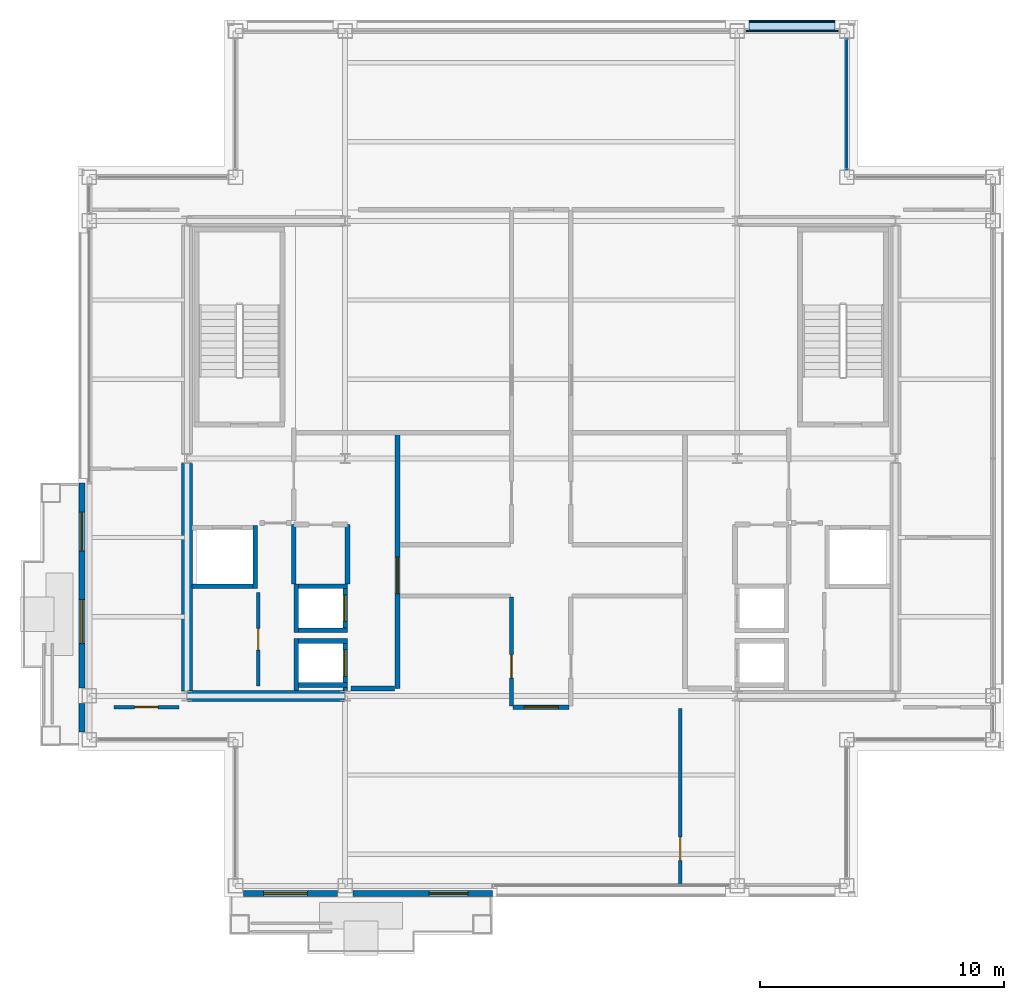
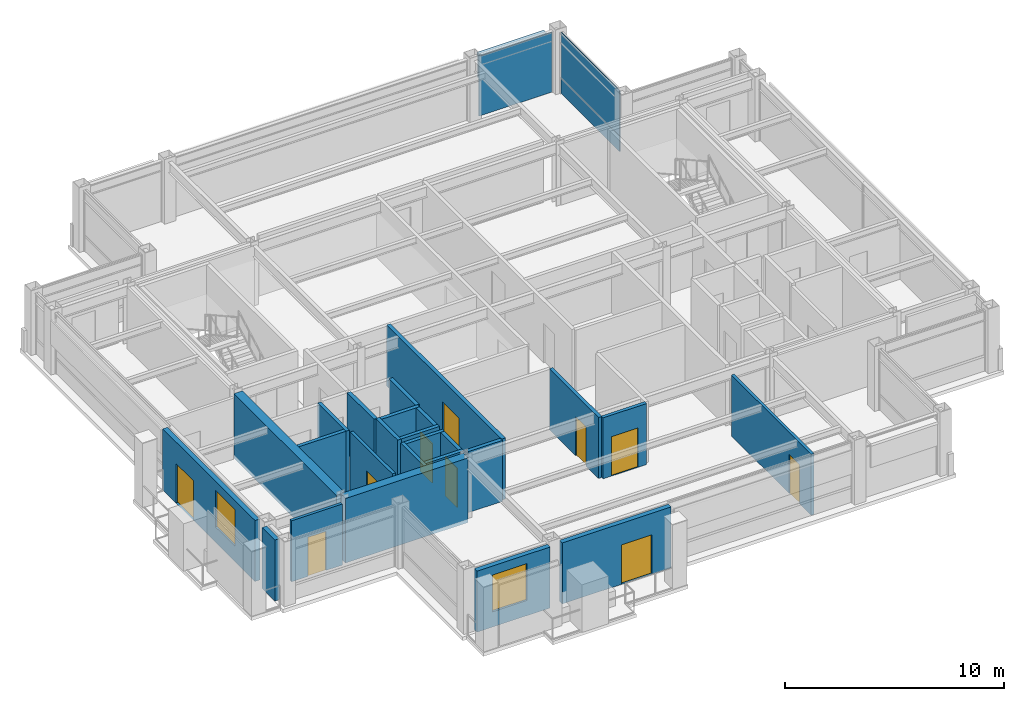
# One storey, part 22 of 27: 25 walls, 10 doors, 5 plates, 2 windows, 12 openings, 2 elements without a shape of their own.
"""IFC4 building model written with IfcOpenShell, lengths in metres."""

from ifc_helpers import new_model, si_unit, direction, frame, frame_2d, origin, origin_2d, place, context, subcontext, project, spatial, rectangle, extrude, material, layer, layer_set, type_object, element, fill, aggregate, save


model = new_model("IFC4")

# Units and contexts
model_context = context("Model", 3, precision=1e-05, world=origin(), true_north=direction((0.0, 1.0)))
body_context = subcontext(model_context, "Body", "Model", "MODEL_VIEW")
ifc_project = project(units=[si_unit("LENGTHUNIT", "METRE"), si_unit("AREAUNIT", "SQUARE_METRE"), si_unit("VOLUMEUNIT", "CUBIC_METRE"), si_unit("PLANEANGLEUNIT", "RADIAN"), si_unit("MASSUNIT", "GRAM", prefix="KILO")], contexts=[model_context])

# Site, building, storey
site_placement = place(None, origin())
site = spatial("IfcSite", under=ifc_project, at=site_placement, CompositionType="ELEMENT")
building_placement = place(site_placement, origin())
building = spatial("IfcBuilding", under=site, at=building_placement, Name="Brelmoor Portico Tower", CompositionType="ELEMENT")
storey_placement = place(building_placement, frame((0.0, 0.0, 250.800048828125)))
storey = spatial("IfcBuildingStorey", under=building, at=storey_placement, Name="L66", CompositionType="ELEMENT", Elevation=250.800048828125)

# Curtain wall, plate
ifc_material_1 = material(Name="Anodised Aluminium Alloy 6063-T6", Category="aluminium")
ifc_layer_1 = layer(ifc_material_1, 0.179931640625)
ifc_layer_set_1 = layer_set([ifc_layer_1], Name="Anodised Aluminium Alloy 6063-T6")
curtain_wall_type_1 = type_object("IfcCurtainWallType", Name="CW-NOTCH-CHAMFER", PredefinedType="NOTDEFINED", material=ifc_layer_set_1)
curtain_wall_1_placement = place(storey_placement, origin())
curtain_wall_1 = element("IfcCurtainWall", 1, at=curtain_wall_1_placement, inside=storey, type_object=curtain_wall_type_1, Name="L66 Curtain Wall CWN-L66-NEV", PredefinedType="NOTDEFINED")
ifc_material_2 = material(Name="Double-Silver Low-E Insulated Glazing", Category="glass")
ifc_layer_2 = layer(ifc_material_2, 0.035888671875)
ifc_layer_set_2 = layer_set([ifc_layer_2], Name="Double-Silver Low-E Insulated Glazing")
plate_type_1 = type_object("IfcPlateType", Name="PT-CW-GLASS", PredefinedType="CURTAIN_PANEL", material=ifc_layer_set_2)
plate_1_placement = place(storey_placement, frame((12.550048828125, 14.550048828125, 0.85009765625), z_axis=(0.0, 0.0, 1.0), x_axis=(0.0, 1.0, 0.0)))
plate_1 = element("IfcPlate", 2, at=plate_1_placement, type_object=plate_type_1, Name="CWN-L66-NEV Vision Glass Panel 00", PredefinedType="CURTAIN_PANEL", context=body_context, shape_type="SweptSolid", body=[
    extrude(rectangle(XDim=5.35009765625, YDim=0.035888671875, at=origin_2d()), origin(), (0.0, 0.0, 1.0), 2.550048828125),
])

ifc_layer_3 = layer(ifc_material_1, 0.179931640625)
ifc_layer_set_3 = layer_set([ifc_layer_3], Name="Anodised Aluminium Alloy 6063-T6")
curtain_wall_type_2 = type_object("IfcCurtainWallType", Name="CW-TOWER-Z4-XB", PredefinedType="NOTDEFINED", material=ifc_layer_set_3)
curtain_wall_2_placement = place(storey_placement, origin())
curtain_wall_2 = element("IfcCurtainWall", 3, at=curtain_wall_2_placement, inside=storey, type_object=curtain_wall_type_2, Name="L66 Curtain Wall CW-L66-02-3", PredefinedType="NOTDEFINED")
ifc_material_3 = material(Name="Pale Champagne Anodised Aluminium Panel", Category="aluminium")
ifc_layer_4 = layer(ifc_material_3, 0.050048828125)
ifc_layer_set_4 = layer_set([ifc_layer_4], Name="Pale Champagne Anodised Aluminium Panel")
plate_type_2 = type_object("IfcPlateType", Name="PT-CW-SPANDREL", PredefinedType="SHEET", material=ifc_layer_set_4)
plate_2_placement = place(storey_placement, frame((10.300048828125, 17.550048828125, 0.0), z_axis=(0.0, 0.0, 1.0), x_axis=(1.0, 0.0, 0.0)))
plate_2 = element("IfcPlate", 4, at=plate_2_placement, type_object=plate_type_2, Name="CW-L66-02-3 Spandrel Panel 00", PredefinedType="SHEET", context=body_context, shape_type="SweptSolid", body=[
    extrude(rectangle(XDim=3.85009765625, YDim=0.050048828125, at=origin_2d()), origin(), (0.0, 0.0, 1.0), 3.33740234375),
])
aggregate(curtain_wall_2, [plate_2])

# Plate
plate_3_placement = place(storey_placement, frame((12.550048828125, 14.550048828125, 0.0), z_axis=(0.0, 0.0, 1.0), x_axis=(0.0, 1.0, 0.0)))
plate_3 = element("IfcPlate", 5, at=plate_3_placement, type_object=plate_type_2, Name="CWN-L66-NEV Spandrel Panel 00", PredefinedType="SHEET", context=body_context, shape_type="SweptSolid", body=[
    extrude(rectangle(XDim=5.35009765625, YDim=0.050048828125, at=origin_2d()), origin(), (0.0, 0.0, 1.0), 0.85009765625),
])

aggregate(curtain_wall_1, [plate_3, plate_1])

# Plates
ifc_material_4 = material(Name="Powder-Coated Aluminium Shuttered Jalousie Louvre", Category="aluminium")
ifc_layer_5 = layer(ifc_material_4, 0.06005859375)
ifc_layer_set_5 = layer_set([ifc_layer_5], Name="Powder-Coated Aluminium Shuttered Jalousie Louvre")
plate_type_3 = type_object("IfcPlateType", Name="PT-JALOUSIE-SHUTTER", PredefinedType="SHEET", material=ifc_layer_set_5)
plate_4_placement = place(storey_placement, frame((10.300048828125, 17.929931640625, 1.8740234375), z_axis=(0.0, 0.0, 1.0), x_axis=(1.0, 0.0, 0.0)))
element("IfcPlate", 6, at=plate_4_placement, inside=storey, type_object=plate_type_3, Name="CW-L66-02-3 Perforated Jalousie Solar Screen", PredefinedType="SHEET", context=body_context, shape_type="SweptSolid", body=[
    extrude(rectangle(XDim=3.52001953125, YDim=0.06494140625, at=origin_2d()), origin(), (0.0, 0.0, 1.0), 1.325927734375),
])
ifc_material_5 = material(Name="Pale Champagne Perforated Aluminium Solar Screen", Category="aluminium")
ifc_layer_6 = layer(ifc_material_5, 0.054931640625)
ifc_layer_set_6 = layer_set([ifc_layer_6], Name="Pale Champagne Perforated Aluminium Solar Screen")
plate_type_4 = type_object("IfcPlateType", Name="PT-SOLAR-LOUVRE", PredefinedType="SHEET", material=ifc_layer_set_6)
plate_5_placement = place(storey_placement, frame((10.300048828125, 17.760009765625, 3.08984375), z_axis=(0.0, 0.0, 1.0), x_axis=(1.0, 0.0, 0.0)))
element("IfcPlate", 7, at=plate_5_placement, inside=storey, type_object=plate_type_4, Name="CW-L66-02-3 Caribbean Brise-Soleil Solar Screen", PredefinedType="SHEET", context=body_context, shape_type="SweptSolid", body=[
    extrude(rectangle(XDim=3.52001953125, YDim=0.4599609375, at=origin_2d()), origin(), (0.0, 0.0, 1.0), 0.139892578125),
])

# Walls
ifc_material_6 = material(Name="Concrete C50", Category="concrete")
ifc_layer_7 = layer(ifc_material_6, 0.449951171875)
ifc_layer_set_7 = layer_set([ifc_layer_7], Name="Concrete C50")
wall_type_1 = type_object("IfcWallType", Name="WL-CORE-450", PredefinedType="SHEAR", material=ifc_layer_set_7)
wall_1_placement = place(storey_placement, frame((-14.530029296875, -9.75, -0.199951171875), z_axis=(0.0, 0.0, 1.0), x_axis=(1.0, 0.0, 0.0)))
element("IfcWall", 8, at=wall_1_placement, inside=storey, type_object=wall_type_1, Name="L66 WC South Shear Wall", PredefinedType="SHEAR", context=body_context, shape_type="SweptSolid", body=[
    extrude(rectangle(XDim=6.4599609375, YDim=0.449951171875, at=frame_2d((3.22998046875, 0.0))), origin(), (0.0, 0.0, 1.0), 3.599853515625),
])
wall_2_placement = place(storey_placement, frame((-14.550048828125, -9.550048828125, -0.199951171875), z_axis=(0.0, 0.0, 1.0), x_axis=(0.0, 1.0, 0.0)))
element("IfcWall", 9, at=wall_2_placement, inside=storey, type_object=wall_type_1, Name="L66 WC Outer South Shear Wall", PredefinedType="SHEAR", context=body_context, shape_type="SweptSolid", body=[
    extrude(rectangle(XDim=9.35009765625, YDim=0.449951171875, at=frame_2d((4.675048828125, 0.0))), origin(), (0.0, 0.0, 1.0), 3.599853515625),
])

# Wall, opening, window
ifc_material_7 = material(Name="Precast Concrete C40 Insulated Facade Wall", Category="concrete")
ifc_layer_8 = layer(ifc_material_7, 0.25)
ifc_layer_set_8 = layer_set([ifc_layer_8], Name="Precast Concrete C40 Insulated Facade Wall")
wall_type_2 = type_object("IfcWallType", Name="WL-EXT-250", PredefinedType="STANDARD", material=ifc_layer_set_8)
wall_3_placement = place(storey_placement, frame((-12.22998046875, -17.860107421875, 0.0), z_axis=(0.0, 0.0, 1.0), x_axis=(1.0, 0.0, 0.0)))
wall_3 = element("IfcWall", 10, at=wall_3_placement, inside=storey, type_object=wall_type_2, Name="L66 Loggia Threshold Wall S-1", PredefinedType="STANDARD", context=body_context, shape_type="SweptSolid", body=[
    extrude(rectangle(XDim=3.85986328125, YDim=0.25, at=frame_2d((1.929931640625, 0.0))), origin(), (0.0, 0.0, 1.0), 3.39990234375),
])
opening_1_placement = place(wall_3_placement, frame((0.830078125, 0.0, 0.85009765625)))
opening_1 = element("IfcOpeningElement", 11, at=opening_1_placement, cuts=wall_3, Name="Opening W-03C", PredefinedType="OPENING", context=body_context, shape_type="SweptSolid", body=[
    extrude(rectangle(XDim=1.800048828125, YDim=2.050048828125, at=frame_2d((0.89990234375, 1.02490234375))), frame((0.0, 0.135009765625, 0.0), z_axis=(0.0, -1.0, 0.0), x_axis=(1.0, 0.0, 0.0)), (0.0, 0.0, 1.0), 0.27001953125),
])
ifc_material_8 = material(Name="Thermally Broken Aluminium Low-E Window", Category="aluminium")
window_type = type_object("IfcWindowType", Name="WN-LOGGIA-1800x2050", PartitioningType="SINGLE_PANEL", PredefinedType="WINDOW", material=ifc_material_8)
window_1_placement = place(opening_1_placement, origin())
window_1 = element("IfcWindow", 12, at=window_1_placement, inside=storey, type_object=window_type, Name="L66 Loggia Window S", OverallHeight=2.050048828125, OverallWidth=1.800048828125, PartitioningType="SINGLE_PANEL", PredefinedType="WINDOW", context=body_context, shape_type="SweptSolid", body=[
    extrude(rectangle(XDim=1.800048828125, YDim=2.050048828125, at=frame_2d((0.89990234375, 1.02490234375))), frame((0.0, 0.030029296875, 0.0), z_axis=(0.0, -1.0, 0.0), x_axis=(1.0, 0.0, 0.0)), (0.0, 0.0, 1.0), 0.06005859375),
])
fill(opening_1, window_1)

# Wall, opening, door
wall_4_placement = place(storey_placement, frame((-7.72998046875, -17.860107421875, 0.0), z_axis=(0.0, 0.0, 1.0), x_axis=(1.0, 0.0, 0.0)))
wall_4 = element("IfcWall", 13, at=wall_4_placement, inside=storey, type_object=wall_type_2, Name="L66 Loggia Threshold Wall S-2", PredefinedType="STANDARD", context=body_context, shape_type="SweptSolid", body=[
    extrude(rectangle(XDim=5.72998046875, YDim=0.25, at=frame_2d((2.864990234375, 0.0))), origin(), (0.0, 0.0, 1.0), 3.39990234375),
])
opening_2_placement = place(wall_4_placement, frame((3.1298828125, 0.0, 0.0)))
opening_2 = element("IfcOpeningElement", 14, at=opening_2_placement, cuts=wall_4, Name="Opening D-TB1", PredefinedType="OPENING", context=body_context, shape_type="SweptSolid", body=[
    extrude(rectangle(XDim=1.60009765625, YDim=2.199951171875, at=frame_2d((0.800048828125, 1.10009765625))), frame((0.0, 0.135009765625, 0.0), z_axis=(0.0, -1.0, 0.0), x_axis=(1.0, 0.0, 0.0)), (0.0, 0.0, 1.0), 0.27001953125),
])
ifc_material_9 = material(Name="Double-Leaf Thermally Broken Terrace Door", Category="aluminium")
door_type_1 = type_object("IfcDoorType", Name="DR-BALCONY-1600", OperationType="NOTDEFINED", PredefinedType="DOOR", material=ifc_material_9)
door_1_placement = place(opening_2_placement, origin())
door_1 = element("IfcDoor", 15, at=door_1_placement, inside=storey, type_object=door_type_1, Name="D-2736 L66 Tree Balcony Double Door S", OperationType="DOUBLE_DOOR_SINGLE_SWING", OverallHeight=2.199951171875, OverallWidth=1.60009765625, PredefinedType="DOOR", context=body_context, shape_type="SweptSolid", body=[
    extrude(rectangle(XDim=1.60009765625, YDim=2.199951171875, at=frame_2d((0.800048828125, 1.10009765625))), frame((0.0, 0.02490234375, 0.0), z_axis=(0.0, -1.0, 0.0), x_axis=(1.0, 0.0, 0.0)), (0.0, 0.0, 1.0), 0.050048828125),
])
fill(opening_2, door_1)

# Wall
wall_5_placement = place(storey_placement, frame((-18.860107421875, -11.22998046875, 0.0), z_axis=(0.0, 0.0, 1.0), x_axis=(0.0, 1.0, 0.0)))
element("IfcWall", 16, at=wall_5_placement, inside=storey, type_object=wall_type_2, Name="L66 Loggia Threshold Wall W-1", PredefinedType="STANDARD", context=body_context, shape_type="SweptSolid", body=[
    extrude(rectangle(XDim=1.159912109375, YDim=0.25, at=frame_2d((0.580078125, 0.0))), origin(), (0.0, 0.0, 1.0), 3.39990234375),
])

# Wall, openings, door, window
wall_6_placement = place(storey_placement, frame((-18.860107421875, -9.429931640625, 0.0), z_axis=(0.0, 0.0, 1.0), x_axis=(0.0, 1.0, 0.0)))
wall_6 = element("IfcWall", 17, at=wall_6_placement, inside=storey, type_object=wall_type_2, Name="L66 Loggia Threshold Wall W-2", PredefinedType="STANDARD", context=body_context, shape_type="SweptSolid", body=[
    extrude(rectangle(XDim=8.429931640625, YDim=0.25, at=frame_2d((4.21484375, 0.0))), origin(), (0.0, 0.0, 1.0), 3.39990234375),
])
opening_3_placement = place(wall_6_placement, frame((5.6298828125, 0.0, 0.0)))
opening_3 = element("IfcOpeningElement", 18, at=opening_3_placement, cuts=wall_6, Name="Opening D-TB1", PredefinedType="OPENING", context=body_context, shape_type="SweptSolid", body=[
    extrude(rectangle(XDim=1.60009765625, YDim=2.199951171875, at=frame_2d((0.800048828125, 1.10009765625))), frame((0.0, 0.135009765625, 0.0), z_axis=(0.0, -1.0, 0.0), x_axis=(1.0, 0.0, 0.0)), (0.0, 0.0, 1.0), 0.27001953125),
])
opening_4_placement = place(wall_6_placement, frame((1.830078125, 0.0, 0.85009765625)))
opening_4 = element("IfcOpeningElement", 19, at=opening_4_placement, cuts=wall_6, Name="Opening W-03C", PredefinedType="OPENING", context=body_context, shape_type="SweptSolid", body=[
    extrude(rectangle(XDim=1.800048828125, YDim=2.050048828125, at=frame_2d((0.89990234375, 1.02490234375))), frame((0.0, 0.135009765625, 0.0), z_axis=(0.0, -1.0, 0.0), x_axis=(1.0, 0.0, 0.0)), (0.0, 0.0, 1.0), 0.27001953125),
])
door_2_placement = place(opening_3_placement, origin())
door_2 = element("IfcDoor", 20, at=door_2_placement, inside=storey, type_object=door_type_1, Name="D-2737 L66 Tree Balcony Double Door W", OperationType="DOUBLE_DOOR_SINGLE_SWING", OverallHeight=2.199951171875, OverallWidth=1.60009765625, PredefinedType="DOOR", context=body_context, shape_type="SweptSolid", body=[
    extrude(rectangle(XDim=1.60009765625, YDim=2.199951171875, at=frame_2d((0.800048828125, 1.10009765625))), frame((0.0, 0.02490234375, 0.0), z_axis=(0.0, -1.0, 0.0), x_axis=(1.0, 0.0, 0.0)), (0.0, 0.0, 1.0), 0.050048828125),
])
fill(opening_3, door_2)
window_2_placement = place(opening_4_placement, origin())
window_2 = element("IfcWindow", 21, at=window_2_placement, inside=storey, type_object=window_type, Name="L66 Loggia Window W", OverallHeight=2.050048828125, OverallWidth=1.800048828125, PartitioningType="SINGLE_PANEL", PredefinedType="WINDOW", context=body_context, shape_type="SweptSolid", body=[
    extrude(rectangle(XDim=1.800048828125, YDim=2.050048828125, at=frame_2d((0.89990234375, 1.02490234375))), frame((0.0, 0.030029296875, 0.0), z_axis=(0.0, -1.0, 0.0), x_axis=(1.0, 0.0, 0.0)), (0.0, 0.0, 1.0), 0.06005859375),
])
fill(opening_4, window_2)

# Wall, opening, door
ifc_material_10 = material(Name="Wet-Area Moisture-Resistant Partition", Category="gypsum")
ifc_layer_9 = layer(ifc_material_10, 0.14990234375)
ifc_layer_set_9 = layer_set([ifc_layer_9], Name="Wet-Area Moisture-Resistant Partition")
wall_type_3 = type_object("IfcWallType", Name="WL-PART-150", PredefinedType="PARTITIONING", material=ifc_layer_set_9)
wall_7_placement = place(storey_placement, frame((5.705078125, -17.56005859375, 0.0), z_axis=(0.0, 0.0, 1.0), x_axis=(0.0, 1.0, 0.0)))
wall_7 = element("IfcWall", 22, at=wall_7_placement, inside=storey, type_object=wall_type_3, Name="L66 South Suite Partition 1", PredefinedType="PARTITIONING", context=body_context, shape_type="SweptSolid", body=[
    extrude(rectangle(XDim=7.2900390625, YDim=0.14990234375, at=frame_2d((3.64501953125, 0.0))), origin(), (0.0, 0.0, 1.0), 3.39990234375),
])
opening_5_placement = place(wall_7_placement, frame((1.050048828125, 0.0, 0.0)))
opening_5 = element("IfcOpeningElement", 23, at=opening_5_placement, cuts=wall_7, Name="Opening D-IN2", PredefinedType="OPENING", context=body_context, shape_type="SweptSolid", body=[
    extrude(rectangle(XDim=0.9599609375, YDim=2.179931640625, at=frame_2d((0.47998046875, 1.08984375))), frame((0.0, 0.0849609375, 0.0), z_axis=(0.0, -1.0, 0.0), x_axis=(1.0, 0.0, 0.0)), (0.0, 0.0, 1.0), 0.169921875),
])
ifc_material_11 = material(Name="Lacquered Timber Suite Door", Category="wood")
door_type_2 = type_object("IfcDoorType", Name="DR-INT-950", OperationType="NOTDEFINED", PredefinedType="DOOR", material=ifc_material_11)
door_3_placement = place(opening_5_placement, origin())
door_3 = element("IfcDoor", 24, at=door_3_placement, inside=storey, type_object=door_type_2, Name="D-2731 L66 South Suite Connecting Door 1", OperationType="SINGLE_SWING_RIGHT", OverallHeight=2.179931640625, OverallWidth=0.9599609375, PredefinedType="DOOR", context=body_context, shape_type="SweptSolid", body=[
    extrude(rectangle(XDim=0.9599609375, YDim=2.179931640625, at=frame_2d((0.47998046875, 1.08984375))), frame((0.0, 0.02490234375, 0.0), z_axis=(0.0, -1.0, 0.0), x_axis=(1.0, 0.0, 0.0)), (0.0, 0.0, 1.0), 0.050048828125),
])
fill(opening_5, door_3)

wall_8_placement = place(storey_placement, frame((-17.550048828125, -10.2099609375, 0.0), z_axis=(0.0, 0.0, 1.0), x_axis=(1.0, 0.0, 0.0)))
wall_8 = element("IfcWall", 25, at=wall_8_placement, inside=storey, type_object=wall_type_3, Name="L66 South Wing Closure WL", PredefinedType="PARTITIONING", context=body_context, shape_type="SweptSolid", body=[
    extrude(rectangle(XDim=2.670166015625, YDim=0.14990234375, at=frame_2d((1.3349609375, 0.0))), origin(), (0.0, 0.0, 1.0), 3.39990234375),
])
opening_6_placement = place(wall_8_placement, frame((0.85498046875, 0.0, 0.0)))
opening_6 = element("IfcOpeningElement", 26, at=opening_6_placement, cuts=wall_8, Name="Opening D-IN2", PredefinedType="OPENING", context=body_context, shape_type="SweptSolid", body=[
    extrude(rectangle(XDim=0.9599609375, YDim=2.179931640625, at=frame_2d((0.47998046875, 1.08984375))), frame((0.0, 0.0849609375, 0.0), z_axis=(0.0, -1.0, 0.0), x_axis=(1.0, 0.0, 0.0)), (0.0, 0.0, 1.0), 0.169921875),
])
door_4_placement = place(opening_6_placement, origin())
door_4 = element("IfcDoor", 27, at=door_4_placement, inside=storey, type_object=door_type_2, Name="D-2735 L66 WL Wing South Suite Door", OperationType="SINGLE_SWING_LEFT", OverallHeight=2.179931640625, OverallWidth=0.9599609375, PredefinedType="DOOR", context=body_context, shape_type="SweptSolid", body=[
    extrude(rectangle(XDim=0.9599609375, YDim=2.179931640625, at=frame_2d((0.47998046875, 1.08984375))), frame((0.0, 0.02490234375, 0.0), z_axis=(0.0, -1.0, 0.0), x_axis=(1.0, 0.0, 0.0)), (0.0, 0.0, 1.0), 0.050048828125),
])
fill(opening_6, door_4)

ifc_material_12 = material(Name="Twin-Frame Acoustic Partition", Category="gypsum")
ifc_layer_10 = layer(ifc_material_12, 0.159912109375)
ifc_layer_set_10 = layer_set([ifc_layer_10], Name="Twin-Frame Acoustic Partition")
wall_type_4 = type_object("IfcWallType", Name="WL-PART-160", PredefinedType="PARTITIONING", material=ifc_layer_set_10)
wall_9_placement = place(storey_placement, frame((-11.6201171875, -9.35009765625, 0.0), z_axis=(0.0, 0.0, 1.0), x_axis=(0.0, 1.0, 0.0)))
wall_9 = element("IfcWall", 28, at=wall_9_placement, inside=storey, type_object=wall_type_4, Name="L66 W Core Service Front Wall", PredefinedType="PARTITIONING", context=body_context, shape_type="SweptSolid", body=[
    extrude(rectangle(XDim=3.85009765625, YDim=0.159912109375, at=frame_2d((1.925048828125, 0.0))), origin(), (0.0, 0.0, 1.0), 3.39990234375),
])
opening_7_placement = place(wall_9_placement, frame((1.47509765625, 0.0, 0.0)))
opening_7 = element("IfcOpeningElement", 29, at=opening_7_placement, cuts=wall_9, Name="Opening D-IN1", PredefinedType="OPENING", context=body_context, shape_type="SweptSolid", body=[
    extrude(rectangle(XDim=0.89990234375, YDim=2.14990234375, at=frame_2d((0.449951171875, 1.074951171875))), frame((0.0, 0.08984375, 0.0), z_axis=(0.0, -1.0, 0.0), x_axis=(1.0, 0.0, 0.0)), (0.0, 0.0, 1.0), 0.179931640625),
])
door_type_3 = type_object("IfcDoorType", Name="DR-INT-900", OperationType="NOTDEFINED", PredefinedType="DOOR", material=ifc_material_11)
door_5_placement = place(opening_7_placement, origin())
door_5 = element("IfcDoor", 30, at=door_5_placement, inside=storey, type_object=door_type_3, Name="D-2720 L66 W Accessible WC Door", OperationType="SINGLE_SWING_RIGHT", OverallHeight=2.14990234375, OverallWidth=0.89990234375, PredefinedType="DOOR", context=body_context, shape_type="SweptSolid", body=[
    extrude(rectangle(XDim=0.89990234375, YDim=2.14990234375, at=frame_2d((0.449951171875, 1.074951171875))), frame((0.0, 0.02490234375, 0.0), z_axis=(0.0, -1.0, 0.0), x_axis=(1.0, 0.0, 0.0)), (0.0, 0.0, 1.0), 0.050048828125),
])
fill(opening_7, door_5)

ifc_material_13 = material(Name="Acoustic Corridor Fire Partition", Category="gypsum")
ifc_layer_11 = layer(ifc_material_13, 0.179931640625)
ifc_layer_set_11 = layer_set([ifc_layer_11], Name="Acoustic Corridor Fire Partition")
wall_type_5 = type_object("IfcWallType", Name="WL-PART-180", PredefinedType="PARTITIONING", material=ifc_layer_set_11)
wall_10_placement = place(storey_placement, frame((-1.219970703125, -10.169921875, 0.0), z_axis=(0.0, 0.0, 1.0), x_axis=(0.0, 1.0, 0.0)))
wall_10 = element("IfcWall", 31, at=wall_10_placement, inside=storey, type_object=wall_type_5, Name="L66 South Cross West Wall", PredefinedType="PARTITIONING", context=body_context, shape_type="SweptSolid", body=[
    extrude(rectangle(XDim=4.489990234375, YDim=0.179931640625, at=frame_2d((2.2451171875, 0.0))), origin(), (0.0, 0.0, 1.0), 3.39990234375),
])
opening_8_placement = place(wall_10_placement, frame((1.14990234375, 0.0, 0.0)))
opening_8 = element("IfcOpeningElement", 32, at=opening_8_placement, cuts=wall_10, Name="Opening D-IN2", PredefinedType="OPENING", context=body_context, shape_type="SweptSolid", body=[
    extrude(rectangle(XDim=0.9599609375, YDim=2.179931640625, at=frame_2d((0.47998046875, 1.08984375))), frame((0.0, 0.099853515625, 0.0), z_axis=(0.0, -1.0, 0.0), x_axis=(1.0, 0.0, 0.0)), (0.0, 0.0, 1.0), 0.199951171875),
])
door_6_placement = place(opening_8_placement, origin())
door_6 = element("IfcDoor", 33, at=door_6_placement, inside=storey, type_object=door_type_2, Name="D-2714 L66 South-West Archive Room Door", OperationType="SINGLE_SWING_LEFT", OverallHeight=2.179931640625, OverallWidth=0.9599609375, PredefinedType="DOOR", context=body_context, shape_type="SweptSolid", body=[
    extrude(rectangle(XDim=0.9599609375, YDim=2.179931640625, at=frame_2d((0.47998046875, 1.08984375))), frame((0.0, 0.02490234375, 0.0), z_axis=(0.0, -1.0, 0.0), x_axis=(1.0, 0.0, 0.0)), (0.0, 0.0, 1.0), 0.050048828125),
])
fill(opening_8, door_6)

wall_11_placement = place(storey_placement, frame((-1.14990234375, -10.2099609375, 0.0), z_axis=(0.0, 0.0, 1.0), x_axis=(1.0, 0.0, 0.0)))
wall_11 = element("IfcWall", 34, at=wall_11_placement, inside=storey, type_object=wall_type_5, Name="L66 South Corridor Partition", PredefinedType="PARTITIONING", context=body_context, shape_type="SweptSolid", body=[
    extrude(rectangle(XDim=2.2998046875, YDim=0.179931640625, at=frame_2d((1.14990234375, 0.0))), origin(), (0.0, 0.0, 1.0), 3.39990234375),
])
opening_9_placement = place(wall_11_placement, frame((0.449951171875, 0.0, 0.0)))
opening_9 = element("IfcOpeningElement", 35, at=opening_9_placement, cuts=wall_11, Name="Opening D-SU2", PredefinedType="OPENING", context=body_context, shape_type="SweptSolid", body=[
    extrude(rectangle(XDim=1.39990234375, YDim=2.199951171875, at=frame_2d((0.699951171875, 1.10009765625))), frame((0.0, 0.099853515625, 0.0), z_axis=(0.0, -1.0, 0.0), x_axis=(1.0, 0.0, 0.0)), (0.0, 0.0, 1.0), 0.199951171875),
])
ifc_material_14 = material(Name="Double-Leaf Acoustic Suite Door", Category="timber")
door_type_4 = type_object("IfcDoorType", Name="DR-SUITE-1400", OperationType="NOTDEFINED", PredefinedType="DOOR", material=ifc_material_14)
door_7_placement = place(opening_9_placement, origin())
door_7 = element("IfcDoor", 36, at=door_7_placement, inside=storey, type_object=door_type_4, Name="D-2730 L66 South Records Storage Room 1 Door", OperationType="DOUBLE_DOOR_SINGLE_SWING", OverallHeight=2.199951171875, OverallWidth=1.39990234375, PredefinedType="DOOR", context=body_context, shape_type="SweptSolid", body=[
    extrude(rectangle(XDim=1.39990234375, YDim=2.199951171875, at=frame_2d((0.699951171875, 1.10009765625))), frame((0.0, 0.02490234375, 0.0), z_axis=(0.0, -1.0, 0.0), x_axis=(1.0, 0.0, 0.0)), (0.0, 0.0, 1.0), 0.050048828125),
])
fill(opening_9, door_7)

ifc_material_15 = material(Name="Double-Stud Gypsum Fire Partition", Category="gypsum")
ifc_layer_12 = layer(ifc_material_15, 0.199951171875)
ifc_layer_set_12 = layer_set([ifc_layer_12], Name="Double-Stud Gypsum Fire Partition")
wall_type_6 = type_object("IfcWallType", Name="WL-PART-200", PredefinedType="PARTITIONING", material=ifc_layer_set_12)
wall_12_placement = place(storey_placement, frame((-5.89990234375, -9.449951171875, 0.0), z_axis=(0.0, 0.0, 1.0), x_axis=(0.0, 1.0, 0.0)))
wall_12 = element("IfcWall", 37, at=wall_12_placement, inside=storey, type_object=wall_type_6, Name="L66 W Core Lobby Compartment Wall", PredefinedType="PARTITIONING", context=body_context, shape_type="SweptSolid", body=[
    extrude(rectangle(XDim=10.5, YDim=0.199951171875, at=frame_2d((5.25, 0.0))), origin(), (0.0, 0.0, 1.0), 3.39990234375),
])
opening_10_placement = place(wall_12_placement, frame((3.89990234375, 0.0, 0.0)))
opening_10 = element("IfcOpeningElement", 38, at=opening_10_placement, cuts=wall_12, Name="Opening D-LB1", PredefinedType="OPENING", context=body_context, shape_type="SweptSolid", body=[
    extrude(rectangle(XDim=1.5, YDim=2.199951171875, at=frame_2d((0.75, 1.10009765625))), frame((0.0, 0.10986328125, 0.0), z_axis=(0.0, -1.0, 0.0), x_axis=(1.0, 0.0, 0.0)), (0.0, 0.0, 1.0), 0.219970703125),
])
ifc_material_16 = material(Name="Double-Leaf Glazed Steel Fire Door", Category="steel")
door_type_5 = type_object("IfcDoorType", Name="DR-LOBBY-1500", OperationType="NOTDEFINED", PredefinedType="DOOR", material=ifc_material_16)
door_8_placement = place(opening_10_placement, origin())
door_8 = element("IfcDoor", 39, at=door_8_placement, inside=storey, type_object=door_type_5, Name="D-2726 L66 W Lift Lobby Main Door", OperationType="DOUBLE_DOOR_SINGLE_SWING", OverallHeight=2.199951171875, OverallWidth=1.5, PredefinedType="DOOR", context=body_context, shape_type="SweptSolid", body=[
    extrude(rectangle(XDim=1.5, YDim=2.199951171875, at=frame_2d((0.75, 1.10009765625))), frame((0.0, 0.02490234375, 0.0), z_axis=(0.0, -1.0, 0.0), x_axis=(1.0, 0.0, 0.0)), (0.0, 0.0, 1.0), 0.050048828125),
])
fill(opening_10, door_8)

# Walls
wall_13_placement = place(storey_placement, frame((-6.02001953125, -9.449951171875, 0.0), z_axis=(0.0, 0.0, 1.0), x_axis=(-1.0, 0.0, 0.0)))
element("IfcWall", 40, at=wall_13_placement, inside=storey, type_object=wall_type_6, Name="L66 W Lift Lobby South End Wall", PredefinedType="PARTITIONING", context=body_context, shape_type="SweptSolid", body=[
    extrude(rectangle(XDim=1.800048828125, YDim=0.199951171875, at=frame_2d((0.89990234375, 0.0))), origin(), (0.0, 0.0, 1.0), 3.39990234375),
])
for number, where, z_axis, x_axis, name in (
    (41, (-7.9599609375, -5.159912109375, 0.0), (0.0, 0.0, 1.0), (0.0, 1.0, 0.0), "L66 W Electrical Switchgear Closet Inner Wall"),
    (42, (-10.159912109375, -5.159912109375, 0.0), (0.0, 0.0, 1.0), (0.0, 1.0, 0.0), "L66 W Electrical Switchgear Closet Outer Wall"),
):
    element("IfcWall", number, at=place(storey_placement, frame(where, z_axis=z_axis, x_axis=x_axis)), inside=storey, type_object=wall_type_6, Name=name, PredefinedType="PARTITIONING", context=body_context, shape_type="SweptSolid", body=[
        extrude(rectangle(XDim=2.43994140625, YDim=0.199951171875, at=frame_2d((1.219970703125, 0.0))), origin(), (0.0, 0.0, 1.0), 3.39990234375),
    ])

# Wall, opening, door
ifc_material_17 = material(Name="Precast Concrete C40", Category="concrete")
ifc_layer_13 = layer(ifc_material_17, 0.18994140625)
ifc_layer_set_13 = layer_set([ifc_layer_13], Name="Precast Concrete C40")
wall_type_7 = type_object("IfcWallType", Name="WL-SHAFT-180", PredefinedType="SOLIDWALL", material=ifc_layer_set_13)
wall_14_placement = place(storey_placement, frame((-8.044921875, -9.52001953125, -0.199951171875), z_axis=(0.0, 0.0, 1.0), x_axis=(0.0, 1.0, 0.0)))
wall_14 = element("IfcWall", 43, at=wall_14_placement, inside=storey, type_object=wall_type_7, Name="L66 Lift PH1 Hoistway Front Wall", PredefinedType="SOLIDWALL", context=body_context, shape_type="SweptSolid", body=[
    extrude(rectangle(XDim=2.1201171875, YDim=0.18994140625, at=frame_2d((1.06005859375, 0.0))), origin(), (0.0, 0.0, 1.0), 3.599853515625),
])
opening_11_placement = place(wall_14_placement, frame((0.570068359375, 0.0, 0.199951171875)))
opening_11 = element("IfcOpeningElement", 44, at=opening_11_placement, cuts=wall_14, Name="Opening LD-01", PredefinedType="OPENING", context=body_context, shape_type="SweptSolid", body=[
    extrude(rectangle(XDim=1.10009765625, YDim=2.199951171875, at=frame_2d((0.550048828125, 1.10009765625))), frame((0.0, 0.10498046875, 0.0), z_axis=(0.0, -1.0, 0.0), x_axis=(1.0, 0.0, 0.0)), (0.0, 0.0, 1.0), 0.2099609375),
])
ifc_material_18 = material(Name="Brushed Stainless Steel Sliding Lift Door", Category="steel")
door_type_6 = type_object("IfcDoorType", Name="DR-LIFT-1100", OperationType="NOTDEFINED", PredefinedType="DOOR", material=ifc_material_18)
door_9_placement = place(opening_11_placement, origin())
door_9 = element("IfcDoor", 45, at=door_9_placement, inside=storey, type_object=door_type_6, Name="D-2742 L66 Lift PH1 Sliding Landing Door", OperationType="SLIDING_TO_LEFT", OverallHeight=2.199951171875, OverallWidth=1.10009765625, PredefinedType="DOOR", context=body_context, shape_type="SweptSolid", body=[
    extrude(rectangle(XDim=1.10009765625, YDim=2.199951171875, at=frame_2d((0.550048828125, 1.10009765625))), frame((0.0, 0.02490234375, 0.0), z_axis=(0.0, -1.0, 0.0), x_axis=(1.0, 0.0, 0.0)), (0.0, 0.0, 1.0), 0.050048828125),
])
fill(opening_11, door_9)

# Walls
wall_15_placement = place(storey_placement, frame((-10.054931640625, -9.52001953125, -0.199951171875), z_axis=(0.0, 0.0, 1.0), x_axis=(0.0, 1.0, 0.0)))
element("IfcWall", 46, at=wall_15_placement, inside=storey, type_object=wall_type_7, Name="L66 Lift PH1 Hoistway Back Wall", PredefinedType="SOLIDWALL", context=body_context, shape_type="SweptSolid", body=[
    extrude(rectangle(XDim=2.1201171875, YDim=0.18994140625, at=frame_2d((1.06005859375, 0.0))), origin(), (0.0, 0.0, 1.0), 3.599853515625),
])
for number, where, z_axis, x_axis, name in (
    (47, (-10.14990234375, -7.4951171875, -0.199951171875), (0.0, 0.0, 1.0), (1.0, 0.0, 0.0), "L66 Lift PH1 Hoistway North Wall"),
    (48, (-10.14990234375, -9.304931640625, -0.199951171875), (0.0, 0.0, 1.0), (1.0, 0.0, 0.0), "L66 Lift PH1 Hoistway South Wall"),
):
    element("IfcWall", number, at=place(storey_placement, frame(where, z_axis=z_axis, x_axis=x_axis)), inside=storey, type_object=wall_type_7, Name=name, PredefinedType="SOLIDWALL", context=body_context, shape_type="SweptSolid", body=[
        extrude(rectangle(XDim=2.199951171875, YDim=0.18994140625, at=frame_2d((1.10009765625, 0.0))), origin(), (0.0, 0.0, 1.0), 3.599853515625),
    ])

# Wall, opening, door
wall_16_placement = place(storey_placement, frame((-8.044921875, -7.14990234375, -0.199951171875), z_axis=(0.0, 0.0, 1.0), x_axis=(0.0, 1.0, 0.0)))
wall_16 = element("IfcWall", 49, at=wall_16_placement, inside=storey, type_object=wall_type_7, Name="L66 Lift PH2 Hoistway Front Wall", PredefinedType="SOLIDWALL", context=body_context, shape_type="SweptSolid", body=[
    extrude(rectangle(XDim=2.0, YDim=0.18994140625, at=frame_2d((1.0, 0.0))), origin(), (0.0, 0.0, 1.0), 3.599853515625),
])
opening_12_placement = place(wall_16_placement, frame((0.449951171875, 0.0, 0.199951171875)))
opening_12 = element("IfcOpeningElement", 50, at=opening_12_placement, cuts=wall_16, Name="Opening LD-01", PredefinedType="OPENING", context=body_context, shape_type="SweptSolid", body=[
    extrude(rectangle(XDim=1.10009765625, YDim=2.199951171875, at=frame_2d((0.550048828125, 1.10009765625))), frame((0.0, 0.10498046875, 0.0), z_axis=(0.0, -1.0, 0.0), x_axis=(1.0, 0.0, 0.0)), (0.0, 0.0, 1.0), 0.2099609375),
])
door_10_placement = place(opening_12_placement, origin())
door_10 = element("IfcDoor", 51, at=door_10_placement, inside=storey, type_object=door_type_6, Name="D-2743 L66 Lift PH2 Sliding Landing Door", OperationType="SLIDING_TO_LEFT", OverallHeight=2.199951171875, OverallWidth=1.10009765625, PredefinedType="DOOR", context=body_context, shape_type="SweptSolid", body=[
    extrude(rectangle(XDim=1.10009765625, YDim=2.199951171875, at=frame_2d((0.550048828125, 1.10009765625))), frame((0.0, 0.02490234375, 0.0), z_axis=(0.0, -1.0, 0.0), x_axis=(1.0, 0.0, 0.0)), (0.0, 0.0, 1.0), 0.050048828125),
])
fill(opening_12, door_10)

# Walls
wall_17_placement = place(storey_placement, frame((-10.054931640625, -7.14990234375, -0.199951171875), z_axis=(0.0, 0.0, 1.0), x_axis=(0.0, 1.0, 0.0)))
element("IfcWall", 52, at=wall_17_placement, inside=storey, type_object=wall_type_7, Name="L66 Lift PH2 Hoistway Back Wall", PredefinedType="SOLIDWALL", context=body_context, shape_type="SweptSolid", body=[
    extrude(rectangle(XDim=2.0, YDim=0.18994140625, at=frame_2d((1.0, 0.0))), origin(), (0.0, 0.0, 1.0), 3.599853515625),
])
for number, where, z_axis, x_axis, name in (
    (53, (-10.14990234375, -5.2451171875, -0.199951171875), (0.0, 0.0, 1.0), (1.0, 0.0, 0.0), "L66 Lift PH2 Hoistway North Wall"),
    (54, (-10.14990234375, -7.054931640625, -0.199951171875), (0.0, 0.0, 1.0), (1.0, 0.0, 0.0), "L66 Lift PH2 Hoistway South Wall"),
):
    element("IfcWall", number, at=place(storey_placement, frame(where, z_axis=z_axis, x_axis=x_axis)), inside=storey, type_object=wall_type_7, Name=name, PredefinedType="SOLIDWALL", context=body_context, shape_type="SweptSolid", body=[
        extrude(rectangle(XDim=2.199951171875, YDim=0.18994140625, at=frame_2d((1.10009765625, 0.0))), origin(), (0.0, 0.0, 1.0), 3.599853515625),
    ])
wall_18_placement = place(storey_placement, frame((-14.330078125, -5.2548828125, -0.199951171875), z_axis=(0.0, 0.0, 1.0), x_axis=(1.0, 0.0, 0.0)))
element("IfcWall", 55, at=wall_18_placement, inside=storey, type_object=wall_type_7, Name="L66 Firefighting Lift FF1 South Wall", PredefinedType="SOLIDWALL", context=body_context, shape_type="SweptSolid", body=[
    extrude(rectangle(XDim=2.68017578125, YDim=0.18994140625, at=frame_2d((1.340087890625, 0.0))), origin(), (0.0, 0.0, 1.0), 3.599853515625),
])
wall_19_placement = place(storey_placement, frame((-11.7451171875, -5.35009765625, -0.199951171875), z_axis=(0.0, 0.0, 1.0), x_axis=(0.0, 1.0, 0.0)))
element("IfcWall", 56, at=wall_19_placement, inside=storey, type_object=wall_type_7, Name="L66 Firefighting Lift FF1 Inner Wall", PredefinedType="SOLIDWALL", context=body_context, shape_type="SweptSolid", body=[
    extrude(rectangle(XDim=2.60009765625, YDim=0.18994140625, at=frame_2d((1.300048828125, 0.0))), origin(), (0.0, 0.0, 1.0), 3.599853515625),
])

save(model, "model.ifc")
